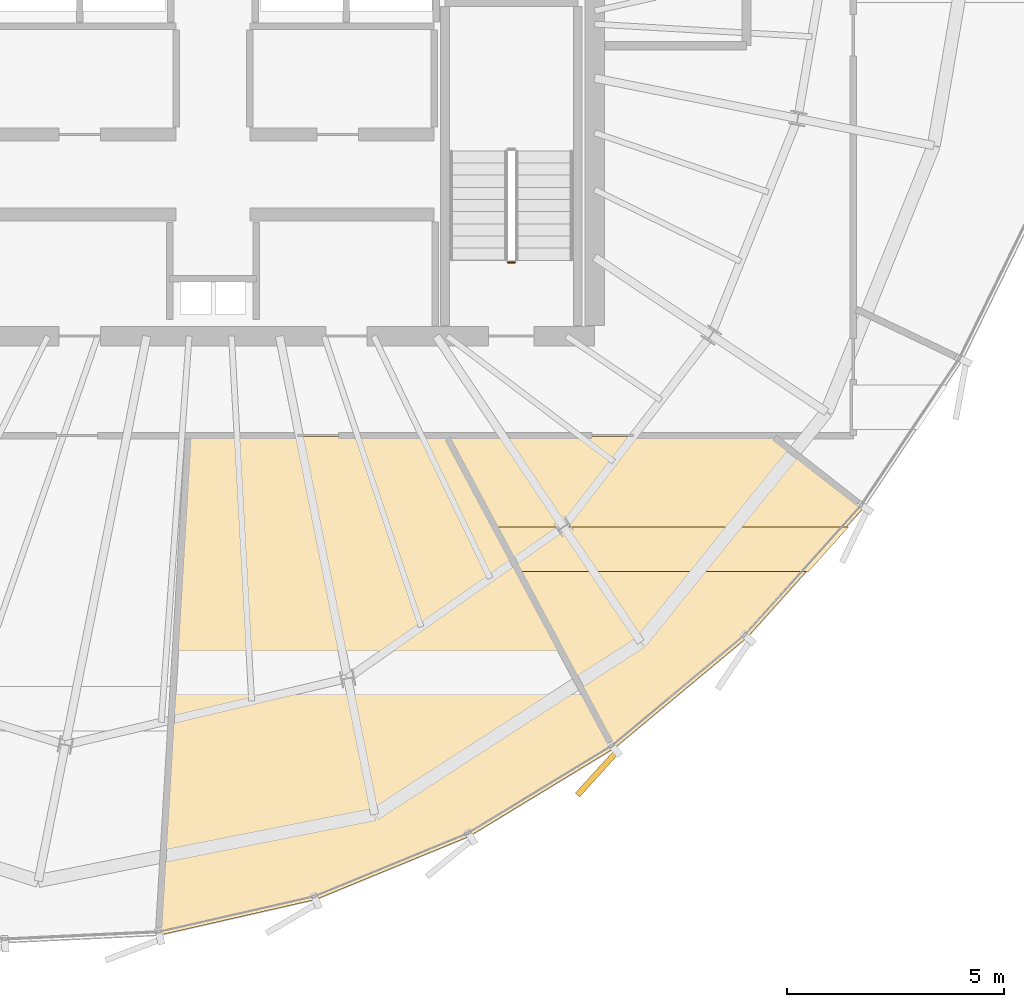
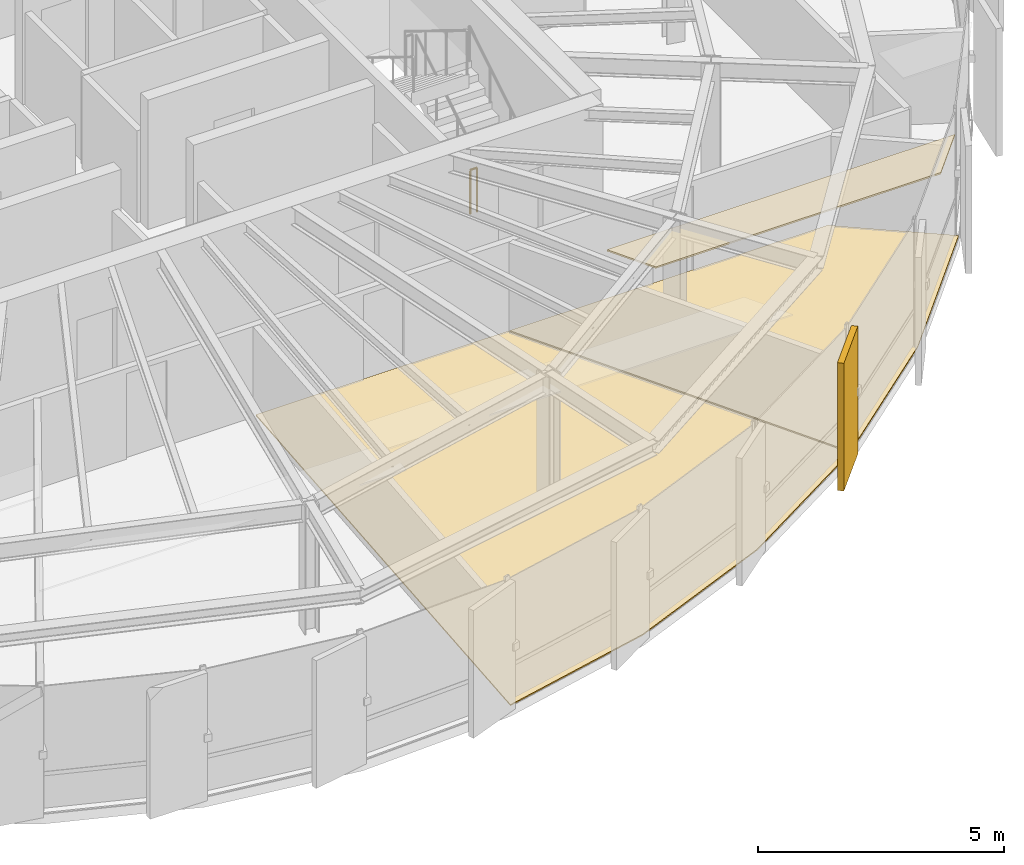
# One storey, part 33 of 35: 4 coverings, 1 railing.
"""IFC4 building model written with IfcOpenShell, lengths in metres."""

from ifc_helpers import new_model, si_unit, direction, frame, origin, origin_2d, place, context, subcontext, project, spatial, polyline, rectangle, circle, outline, extrude, source, transform, mapped, material, layer, layer_set, type_object, element, save


model = new_model("IFC4")

# Units and contexts
model_context = context("Model", 3, precision=1e-05, world=origin(), true_north=direction((0.0, 1.0)))
body_context = subcontext(model_context, "Body", "Model", "MODEL_VIEW")
ifc_project = project(units=[si_unit("LENGTHUNIT", "METRE"), si_unit("AREAUNIT", "SQUARE_METRE"), si_unit("VOLUMEUNIT", "CUBIC_METRE"), si_unit("PLANEANGLEUNIT", "RADIAN"), si_unit("MASSUNIT", "GRAM", prefix="KILO"), si_unit("THERMODYNAMICTEMPERATUREUNIT", "KELVIN")], contexts=[model_context])

# Site, building, storey
site_placement = place(None, origin())
site = spatial("IfcSite", under=ifc_project, at=site_placement, CompositionType="ELEMENT")
building_placement = place(site_placement, origin())
building = spatial("IfcBuilding", under=site, at=building_placement, Name="Kethvar Cultural Tower", CompositionType="ELEMENT")
storey_placement = place(building_placement, frame((0.0, 0.0, 245.64990234375)))
storey = spatial("IfcBuildingStorey", under=building, at=storey_placement, Name="L64", CompositionType="ELEMENT", Elevation=245.64990234375)

# Coverings
ifc_material_1 = material(Name="Acoustic Mineral Fibre Ceiling")
ifc_layer_1 = layer(ifc_material_1, 0.0400390625, Name="Acoustic Mineral Fibre Ceiling")
ifc_layer_set_1 = layer_set([ifc_layer_1], Name="Acoustic Mineral Fibre Ceiling (40 mm)")
covering_type_1 = type_object("IfcCoveringType", Name="CV-ACOUSTIC-CEIL", PredefinedType="CEILING", material=ifc_layer_set_1)
covering_1_placement = place(storey_placement, frame((0.0, 0.0, 2.89013671875)))
element("IfcCovering", 1, at=covering_1_placement, inside=storey, type_object=covering_type_1, Name="L64 Room 05 Acoustic Ceiling Panel", PredefinedType="CEILING", context=body_context, shape_type="SweptSolid", body=[
    extrude(outline(polyline([(53.283203125, 15.69677734375), (61.45361328125, 15.69677734375), (60.529296875, 14.666748046875), (53.8369140625, 14.666748046875), (53.283203125, 15.69677734375)])), origin(), (0.0, 0.0, 1.0), 0.0400390625),
])
ifc_material_2 = material(Name="Honed Warm Limestone", Category="masonry")
ifc_layer_2 = layer(ifc_material_2, 0.030029296875, Name="Honed Warm Limestone", Category="masonry")
ifc_layer_set_2 = layer_set([ifc_layer_2], Name="Honed Warm Limestone (30 mm)")
covering_type_2 = type_object("IfcCoveringType", Name="CV-STONE-FLOOR", PredefinedType="FLOORING", material=ifc_layer_set_2)
covering_2_placement = place(storey_placement, origin())
element("IfcCovering", 2, at=covering_2_placement, inside=storey, type_object=covering_type_2, Name="L64 Room 04 Floor Finish", PredefinedType="FLOORING", context=body_context, shape_type="SweptSolid", body=[
    extrude(outline(polyline([(52.695556640625, 8.5576171875), (49.165771484375, 7.106689453125), (45.58837890625, 6.290283203125), (46.24658203125, 17.787109375), (52.159423828125, 17.787109375), (56.031494140625, 10.583984375), (52.695556640625, 8.5576171875)])), origin(), (0.0, 0.0, 1.0), 0.030029296875),
])
covering_3_placement = place(storey_placement, origin())
element("IfcCovering", 3, at=covering_3_placement, inside=storey, type_object=covering_type_2, Name="L64 Room 05 Floor Finish", PredefinedType="FLOORING", context=body_context, shape_type="SweptSolid", body=[
    extrude(outline(polyline([(59.1162109375, 13.15185546875), (56.06396484375, 10.60791015625), (52.205078125, 17.787109375), (59.676025390625, 17.787109375), (61.79833984375, 16.140869140625), (59.1162109375, 13.15185546875)])), origin(), (0.0, 0.0, 1.0), 0.030029296875),
])

# Railing
ifc_material_3 = material(Name="Steel S355J2", Category="steel")
railing_type = type_object("IfcRailingType", Name="RL-STAIR-GUARD", PredefinedType="BALUSTRADE", material=ifc_material_3)
railing_placement = place(storey_placement, frame((53.760009765625, 21.800048828125, 0.0)))
element("IfcRailing", 4, at=railing_placement, inside=storey, type_object=railing_type, Name="L64 ST-02 stair guard 4", PredefinedType="BALUSTRADE", context=body_context, shape_type="SweptSolid", body=[
    extrude(circle(Radius=0.02392578125, at=origin_2d()), frame((0.0, 0.0, 1.09619140625), z_axis=(-1.0, 0.0, 0.0), x_axis=(0.0, -1.0, 0.0)), (0.0, 0.0, 1.0), 0.159912109375),
    extrude(circle(Radius=0.02099609375, at=origin_2d()), origin(), (0.0, 0.0, 1.0), 1.072021484375),
    extrude(circle(Radius=0.02099609375, at=origin_2d()), frame((-0.159912109375, 0.0, 0.0)), (0.0, 0.0, 1.0), 1.072021484375),
])

# Covering
ifc_material_4 = material(Name="Extruded Architectural Terracotta", Category="masonry")
ifc_layer_3 = layer(ifc_material_4, 0.135009765625, Name="Extruded Architectural Terracotta", Category="masonry")
ifc_layer_set_3 = layer_set([ifc_layer_3], Name="Extruded Architectural Terracotta (135 mm)")
covering_type_3 = type_object("IfcCoveringType", Name="Terracotta Facade Fin FIN-03", PredefinedType="CLADDING", material=ifc_layer_set_3)
shared_shape = source(origin(), body_context, "Body", "SweptSolid", [
    extrude(rectangle(XDim=1.35009765625, YDim=0.135009765625, at=origin_2d()), origin(), (0.0, 0.0, 1.0), 3.169921875),
])
covering_4_placement = place(storey_placement, frame((55.656005859375, 10.01513671875, 0.02001953125), z_axis=(0.0, 0.0, 1.0), x_axis=(-0.6715912843, -0.740921822362, 0.0)))
element("IfcCovering", 5, at=covering_4_placement, inside=storey, type_object=covering_type_3, Name="L64 Vertical Terracotta Fin 5.2", PredefinedType="CLADDING", context=body_context, shape_type="MappedRepresentation", body=[
    mapped(shared_shape, transform((0.0, 0.0, 0.0), scale=1.0)),
])

save(model, "model.ifc")
